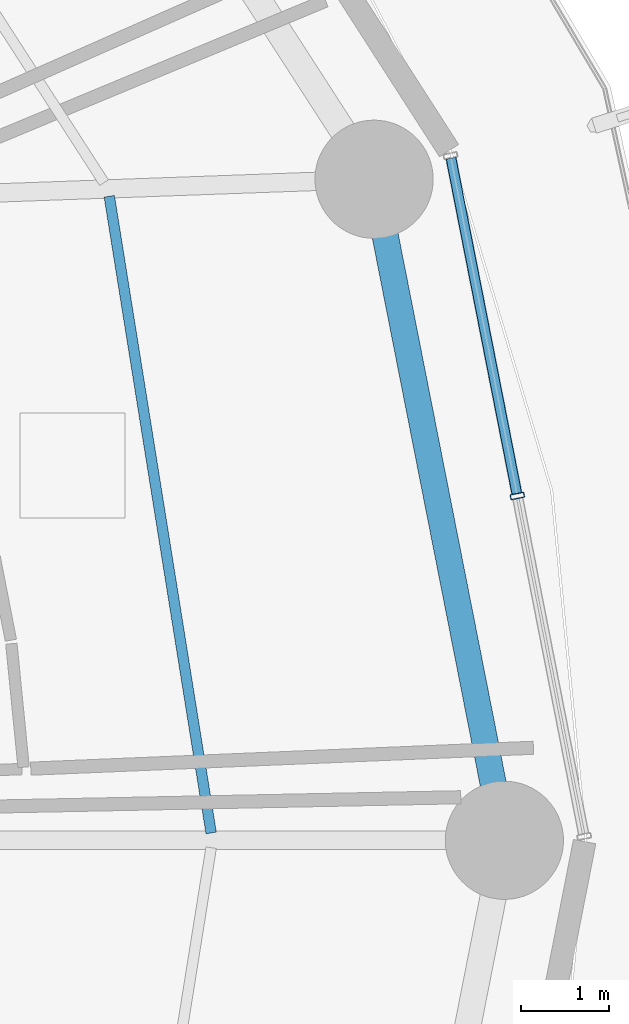
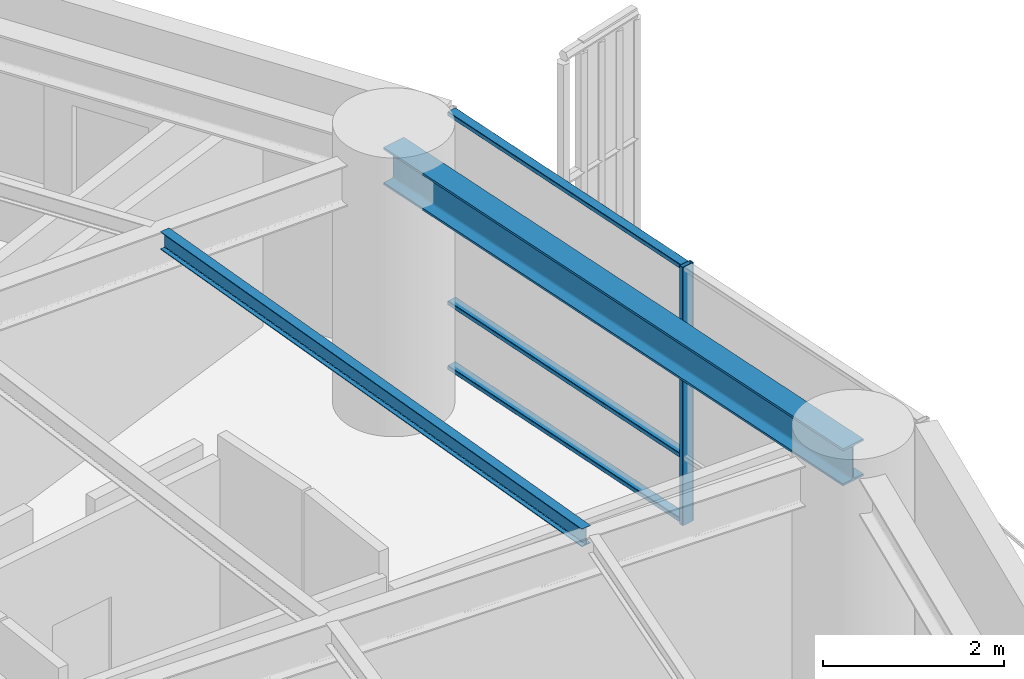
# One storey, part 16 of 35: 4 members, 2 beams, 1 element without a shape of its own.
"""IFC4 building model written with IfcOpenShell, lengths in metres."""

import ifcopenshell
import ifcopenshell.guid

model = None  # the IFC model being written
_history = None  # IfcOwnerHistory: only IFC2X3 demands one
_inside = {}  # id of a spatial element -> (the spatial element, [elements in it])
_under = {}  # id of a project, library or spatial element -> (it, [spatial elements below it])
_declared = {}  # id of a project -> (the project, [libraries it declares])
_typed = {}  # id of a type object -> (the type object, [elements of that type])
_made_of = {}  # id of a material, layer set ... -> (it, [elements and type objects made of it])


def new_model(schema):
    """Start an empty IFC model of exactly this schema.

    Asked for "IFC4X3", IfcOpenShell would pick the latest addendum, in which some entities
    have other attributes; the version numbers below select the first issue.
    IFC2X3 requires an IfcOwnerHistory on every rooted entity: one is made here for all.
    """
    global model, _history
    if schema == "IFC4X3":
        model = ifcopenshell.file(schema_version=(4, 3, 0, 0))
    else:
        model = ifcopenshell.file(schema=schema)
    _inside.clear()
    _under.clear()
    _declared.clear()
    _typed.clear()
    _made_of.clear()
    _history = None
    if model.schema == "IFC2X3":
        org = make("IfcOrganization", Name="unknown")
        user = make(
            "IfcPersonAndOrganization",
            ThePerson=make("IfcPerson", FamilyName="unknown"),
            TheOrganization=org,
        )
        app = make(
            "IfcApplication",
            ApplicationDeveloper=org,
            Version="unknown",
            ApplicationFullName="unknown",
            ApplicationIdentifier="unknown",
        )
        _history = make(
            "IfcOwnerHistory",
            OwningUser=user,
            OwningApplication=app,
            ChangeAction="ADDED",
            CreationDate=0,
        )
    return model


def make(cls, **values):
    """One entity of the class cls with the attributes given. An attribute that is None is left unset."""
    return model.create_entity(
        cls, **{name: value for name, value in values.items() if value is not None}
    )


def rooted(cls, **values):
    """An entity with a GlobalId (a new one), such as an element, a storey or a relation."""
    return make(cls, GlobalId=ifcopenshell.guid.new(), OwnerHistory=_history, **values)


def si_unit(unit_type, name, prefix=None):
    """IfcSIUnit, for example si_unit("LENGTHUNIT", "METRE", prefix="MILLI")."""
    return make("IfcSIUnit", UnitType=unit_type, Prefix=prefix, Name=name)


def assignment(units):
    """IfcUnitAssignment: the units of a project."""
    return None if units is None else make("IfcUnitAssignment", Units=units)


def point(xyz):
    """IfcCartesianPoint."""
    return None if xyz is None else make("IfcCartesianPoint", Coordinates=xyz)


def direction(xyz):
    """IfcDirection."""
    return None if xyz is None else make("IfcDirection", DirectionRatios=xyz)


def frame(location, z_axis=None, x_axis=None):
    """IfcAxis2Placement3D, a coordinate frame: its origin and axes. An axis left out is left unset."""
    return make(
        "IfcAxis2Placement3D",
        Location=point(location),
        Axis=direction(z_axis),
        RefDirection=direction(x_axis),
    )


def frame_2d(location, x_axis=None):
    """IfcAxis2Placement2D, a coordinate frame in the plane: its origin and x axis."""
    return make(
        "IfcAxis2Placement2D", Location=point(location), RefDirection=direction(x_axis)
    )


def origin():
    """The frame at (0, 0, 0) with its axes left unset."""
    return frame((0.0, 0.0, 0.0))


def origin_2d():
    """The frame at (0, 0) in the plane with its x axis left unset."""
    return frame_2d((0.0, 0.0))


def place(relative_to, where):
    """IfcLocalPlacement: puts the frame where relative to a parent placement (None: the world)."""
    return make(
        "IfcLocalPlacement", PlacementRelTo=relative_to, RelativePlacement=where
    )


def context(
    kind, dimensions, precision=None, world=None, true_north=None, identifier=None
):
    """IfcGeometricRepresentationContext, for example the 3D "Model" context."""
    return make(
        "IfcGeometricRepresentationContext",
        ContextIdentifier=identifier,
        ContextType=kind,
        CoordinateSpaceDimension=dimensions,
        Precision=precision,
        WorldCoordinateSystem=world,
        TrueNorth=true_north,
    )


def subcontext(parent, identifier, kind, view, scale=None):
    """IfcGeometricRepresentationSubContext, for example "Body" below "Model"."""
    return make(
        "IfcGeometricRepresentationSubContext",
        ContextIdentifier=identifier,
        ContextType=kind,
        ParentContext=parent,
        TargetScale=scale,
        TargetView=view,
    )


def project(units=None, contexts=None):
    """IfcProject with its units and contexts."""
    return rooted(
        "IfcProject",
        Name="project",
        RepresentationContexts=contexts,
        UnitsInContext=assignment(units),
    )


def spatial(cls, under=None, at=None, **own):
    """A site, building, storey or space (cls), placed at a placement, below another one or the project."""
    s = rooted(cls, ObjectPlacement=at, **own)
    if under is not None:
        _under.setdefault(under.id(), (under, []))[1].append(s)
    return s


def profile(cls, at=None, kind="AREA", **sizes):
    """A parametric profile (cls). Its sizes go by their IFC names, for example OverallWidth=200.0."""
    return make(cls, ProfileType=kind, Position=at, **sizes)


def hollow_rectangle(**sizes):
    """IfcRectangleHollowProfileDef."""
    return profile("IfcRectangleHollowProfileDef", **sizes)


def i_section(**sizes):
    """IfcIShapeProfileDef."""
    return profile("IfcIShapeProfileDef", **sizes)


def extrude(swept, where, along, depth):
    """IfcExtrudedAreaSolid: the profile swept, set in the frame where, extruded along a direction by depth."""
    return make(
        "IfcExtrudedAreaSolid",
        SweptArea=swept,
        Position=where,
        ExtrudedDirection=direction(along),
        Depth=depth,
    )


def shape(context_of_items, identifier, shape_type, items):
    """IfcShapeRepresentation: the items that make up one representation, for example the "Body"."""
    return make(
        "IfcShapeRepresentation",
        ContextOfItems=context_of_items,
        RepresentationIdentifier=identifier,
        RepresentationType=shape_type,
        Items=items,
    )


def material(Name=None, Category=None):
    """IfcMaterial."""
    return make("IfcMaterial", Name=Name, Category=Category)


def layer(
    of_material, thickness, ventilated=None, Name=None, Category=None, Priority=None
):
    """IfcMaterialLayer: one layer of a wall or slab, of a material (None: an air gap)."""
    return make(
        "IfcMaterialLayer",
        Material=of_material,
        LayerThickness=thickness,
        IsVentilated=ventilated,
        Name=Name,
        Category=Category,
        Priority=Priority,
    )


def layer_set(layers, Name=None):
    """IfcMaterialLayerSet."""
    return make("IfcMaterialLayerSet", MaterialLayers=layers, LayerSetName=Name)


def material_profile(
    of_material, cross_section, Name=None, Category=None, Priority=None
):
    """IfcMaterialProfile: a cross section and its material."""
    return make(
        "IfcMaterialProfile",
        Name=Name,
        Material=of_material,
        Profile=cross_section,
        Priority=Priority,
        Category=Category,
    )


def profile_set(profiles, Name=None, composite=None):
    """IfcMaterialProfileSet."""
    return make(
        "IfcMaterialProfileSet",
        Name=Name,
        MaterialProfiles=profiles,
        CompositeProfile=composite,
    )


def made_of(thing, what):
    """Note that an element or type object is made of a material, layer set ...; save() writes the relation."""
    if what is not None:
        _made_of.setdefault(what.id(), (what, []))[1].append(thing)
    return thing


def type_object(cls, material=None, **own):
    """A type object (cls), such as IfcWallType, which elements share."""
    return made_of(rooted(cls, **own), material)


def element(
    cls,
    number,
    at=None,
    inside=None,
    cuts=None,
    type_object=None,
    material=None,
    context=None,
    identifier="Body",
    shape_type=None,
    held_by="IfcProductDefinitionShape",
    body=None,
    shapes=None,
    **own,
):
    """One element of the class cls, such as IfcWall. Its Tag is "e" and its number.

    at: its placement. inside: the storey or other place that contains it. cuts: it is an
    opening in that element (IfcRelVoidsElement). A single representation is given by context,
    identifier, shape_type and body (its items); several are given by shapes. held_by: the class
    of the entity that holds the representations. save() writes the other relations.
    """
    e = rooted(cls, Tag="e%d" % number, ObjectPlacement=at, **own)
    if body is not None:
        shapes = [shape(context, identifier, shape_type, body)]
    if shapes is not None:
        e.Representation = make(held_by, Representations=shapes)
    if inside is not None:
        _inside.setdefault(inside.id(), (inside, []))[1].append(e)
    if cuts is not None:
        rooted(
            "IfcRelVoidsElement", RelatingBuildingElement=cuts, RelatedOpeningElement=e
        )
    if type_object is not None:
        _typed.setdefault(type_object.id(), (type_object, []))[1].append(e)
    return made_of(e, material)


def aggregate(whole, parts):
    """IfcRelAggregates: a whole, such as a stair, and the parts it consists of."""
    return rooted("IfcRelAggregates", RelatingObject=whole, RelatedObjects=parts)


def save(model, path):
    """Write the relations noted so far, then the file.

    IfcRelAggregates (storeys below a building ...), IfcRelContainedInSpatialStructure (elements
    in a storey), IfcRelDefinesByType, IfcRelAssociatesMaterial and IfcRelDeclares: one each for
    every whole, place, type object, material and project.
    """
    for whole, parts in _under.values():
        aggregate(whole, parts)
    for where, things in _inside.values():
        rooted(
            "IfcRelContainedInSpatialStructure",
            RelatedElements=things,
            RelatingStructure=where,
        )
    for kind, things in _typed.values():
        rooted("IfcRelDefinesByType", RelatedObjects=things, RelatingType=kind)
    for what, things in _made_of.values():
        rooted("IfcRelAssociatesMaterial", RelatedObjects=things, RelatingMaterial=what)
    for by, libraries in _declared.values():
        rooted("IfcRelDeclares", RelatingContext=by, RelatedDefinitions=libraries)
    model.write(path)


model = new_model("IFC4")

# Units and contexts
model_context = context("Model", 3, precision=1e-05, world=origin(), true_north=direction((0.0, 1.0)))
body_context = subcontext(model_context, "Body", "Model", "MODEL_VIEW")
ifc_project = project(units=[si_unit("LENGTHUNIT", "METRE"), si_unit("AREAUNIT", "SQUARE_METRE"), si_unit("VOLUMEUNIT", "CUBIC_METRE"), si_unit("PLANEANGLEUNIT", "RADIAN"), si_unit("MASSUNIT", "GRAM", prefix="KILO")], contexts=[model_context])

# Site, building, storey
site_placement = place(None, origin())
site = spatial("IfcSite", under=ifc_project, at=site_placement, CompositionType="ELEMENT")
building_placement = place(site_placement, origin())
building = spatial("IfcBuilding", under=site, at=building_placement, Name="Kelanora Arch Commons", CompositionType="ELEMENT")
storey_placement = place(building_placement, frame((0.0, 0.0, 95.10009765625)))
storey = spatial("IfcBuildingStorey", under=building, at=storey_placement, Name="L24", CompositionType="ELEMENT", Elevation=95.10009765625)

# Beams
ifc_material_1 = material(Name="Steel S355", Category="steel")
ifc_material_profile_1 = material_profile(ifc_material_1, i_section(OverallWidth=0.1201171875, OverallDepth=0.239990234375, WebThickness=0.006103515625, FlangeThickness=0.009765625, FilletRadius=0.014892578125, at=origin_2d()), Name="IPE240")
ifc_profile_set_1 = profile_set([ifc_material_profile_1], Name="Steel S355")
beam_type_1 = type_object("IfcBeamType", Name="BM-JST-02", PredefinedType="JOIST", material=ifc_profile_set_1)
beam_1_placement = place(storey_placement, frame((95.33056640625, 58.083984375, 3.369873046875), z_axis=(-0.157999549894, 0.987439184068, 0.0), x_axis=(-0.987439184068, -0.157999549894, 0.0)))
element("IfcBeam", 1, at=beam_1_placement, inside=storey, type_object=beam_type_1, Name="Secondary Chord Joist BJC-00 L24", PredefinedType="JOIST", context=body_context, shape_type="SweptSolid", body=[
    extrude(i_section(OverallWidth=0.1201171875, OverallDepth=0.239990234375, WebThickness=0.006103515625, FlangeThickness=0.009765625, FilletRadius=0.014892578125, at=origin_2d()), origin(), (0.0, 0.0, 1.0), 7.365966796875),
])
ifc_material_profile_2 = material_profile(ifc_material_1, i_section(OverallWidth=0.300048828125, OverallDepth=0.5, WebThickness=0.014404296875, FlangeThickness=0.028076171875, FilletRadius=0.027099609375, at=origin_2d()), Name="HEB500")
ifc_profile_set_2 = profile_set([ifc_material_profile_2], Name="Steel S355")
beam_type_2 = type_object("IfcBeamType", Name="BM-SPN-Z2", PredefinedType="SPANDREL", material=ifc_profile_set_2)
beam_2_placement = place(storey_placement, frame((98.679931640625, 58.0, 3.239990234375), z_axis=(-0.19335825777, 0.981128220037, 0.0), x_axis=(-0.981128220037, -0.19335825777, 0.0)))
element("IfcBeam", 2, at=beam_2_placement, inside=storey, type_object=beam_type_2, Name="Perimeter Spandrel Beam BS-00 L24", PredefinedType="SPANDREL", context=body_context, shape_type="SweptSolid", body=[
    extrude(i_section(OverallWidth=0.300048828125, OverallDepth=0.5, WebThickness=0.014404296875, FlangeThickness=0.028076171875, FilletRadius=0.027099609375, at=origin_2d()), origin(), (0.0, 0.0, 1.0), 7.697021484375),
])

# Curtain wall, members
ifc_material_2 = material(Name="Terracotta ceramic-fritted low-E glass and aluminium", Category="masonry")
ifc_layer = layer(ifc_material_2, 0.159912109375)
ifc_layer_set = layer_set([ifc_layer], Name="Terracotta ceramic-fritted low-E glass and aluminium")
curtain_wall_type = type_object("IfcCurtainWallType", Name="CW-SYS-01", PredefinedType="NOTDEFINED", material=ifc_layer_set)
curtain_wall_placement = place(storey_placement, origin())
curtain_wall = element("IfcCurtainWall", 3, at=curtain_wall_placement, inside=storey, type_object=curtain_wall_type, Name="Unitised Curtain Wall L24-B00", PredefinedType="NOTDEFINED")
ifc_material_3 = material(Name="Powder-coated aluminium terracotta", Category="masonry")
ifc_material_profile_3 = material_profile(ifc_material_3, hollow_rectangle(XDim=0.159912109375, YDim=0.06005859375, WallThickness=0.0048828125, InnerFilletRadius=0.0048828125, OuterFilletRadius=0.010009765625, at=origin_2d()), Name="CWM160x60")
ifc_profile_set_3 = profile_set([ifc_material_profile_3], Name="Powder-coated aluminium terracotta")
member_type_1 = type_object("IfcMemberType", Name="CWM-STD", PredefinedType="MULLION", material=ifc_profile_set_3)
member_1_placement = place(storey_placement, frame((98.828125, 61.933349609375, 0.0), z_axis=(0.0, 0.0, 1.0), x_axis=(-0.981280311646, -0.192584916272, 0.0)))
member_1 = element("IfcMember", 4, at=member_1_placement, type_object=member_type_1, Name="CW-01 mullion 2", PredefinedType="MULLION", context=body_context, shape_type="SweptSolid", body=[
    extrude(hollow_rectangle(XDim=0.159912109375, YDim=0.06005859375, WallThickness=0.0048828125, InnerFilletRadius=0.0048828125, OuterFilletRadius=0.010009765625, at=origin_2d()), origin(), (0.0, 0.0, 1.0), 3.474853515625),
])
ifc_material_profile_4 = material_profile(ifc_material_3, hollow_rectangle(XDim=0.1201171875, YDim=0.06005859375, WallThickness=0.0048828125, InnerFilletRadius=0.0048828125, OuterFilletRadius=0.010009765625, at=origin_2d()), Name="CWT120x60")
ifc_profile_set_4 = profile_set([ifc_material_profile_4], Name="Powder-coated aluminium terracotta")
member_type_2 = type_object("IfcMemberType", Name="CWT-STD", PredefinedType="USERDEFINED", material=ifc_profile_set_4)
member_2_placement = place(storey_placement, frame((98.822265625, 61.962646484375, 0.02978515625), z_axis=(-0.192578614785, 0.981281548348, 0.0), x_axis=(-0.981281548348, -0.192578614785, 0.0)))
member_2 = element("IfcMember", 5, at=member_2_placement, type_object=member_type_2, Name="CW-01 transom 2.1", ObjectType="TRANSOM", PredefinedType="USERDEFINED", context=body_context, shape_type="SweptSolid", body=[
    extrude(hollow_rectangle(XDim=0.1201171875, YDim=0.06005859375, WallThickness=0.0048828125, InnerFilletRadius=0.0048828125, OuterFilletRadius=0.010009765625, at=origin_2d()), origin(), (0.0, 0.0, 1.0), 3.9033203125),
])
member_3_placement = place(storey_placement, frame((98.822265625, 61.962646484375, 0.89990234375), z_axis=(-0.192578614785, 0.981281548348, 0.0), x_axis=(-0.981281548348, -0.192578614785, 0.0)))
member_3 = element("IfcMember", 6, at=member_3_placement, type_object=member_type_2, Name="CW-01 transom 2.2", ObjectType="TRANSOM", PredefinedType="USERDEFINED", context=body_context, shape_type="SweptSolid", body=[
    extrude(hollow_rectangle(XDim=0.1201171875, YDim=0.06005859375, WallThickness=0.0048828125, InnerFilletRadius=0.0048828125, OuterFilletRadius=0.010009765625, at=origin_2d()), origin(), (0.0, 0.0, 1.0), 3.9033203125),
])
member_4_placement = place(storey_placement, frame((98.822265625, 61.962646484375, 3.44482421875), z_axis=(-0.192578614785, 0.981281548348, 0.0), x_axis=(-0.981281548348, -0.192578614785, 0.0)))
member_4 = element("IfcMember", 7, at=member_4_placement, type_object=member_type_2, Name="CW-01 transom 2.3", ObjectType="TRANSOM", PredefinedType="USERDEFINED", context=body_context, shape_type="SweptSolid", body=[
    extrude(hollow_rectangle(XDim=0.1201171875, YDim=0.06005859375, WallThickness=0.0048828125, InnerFilletRadius=0.0048828125, OuterFilletRadius=0.010009765625, at=origin_2d()), origin(), (0.0, 0.0, 1.0), 3.9033203125),
])
aggregate(curtain_wall, [member_1, member_2, member_3, member_4])

save(model, "model.ifc")
